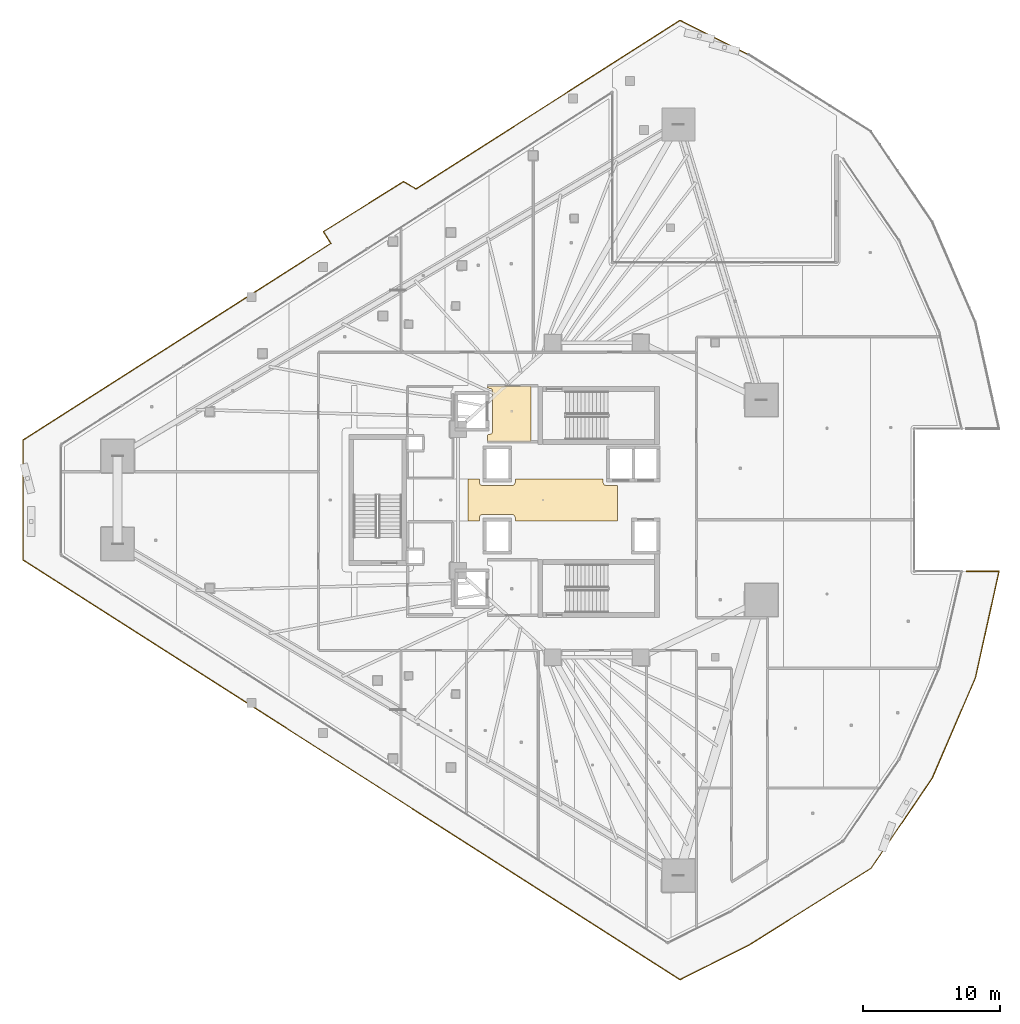
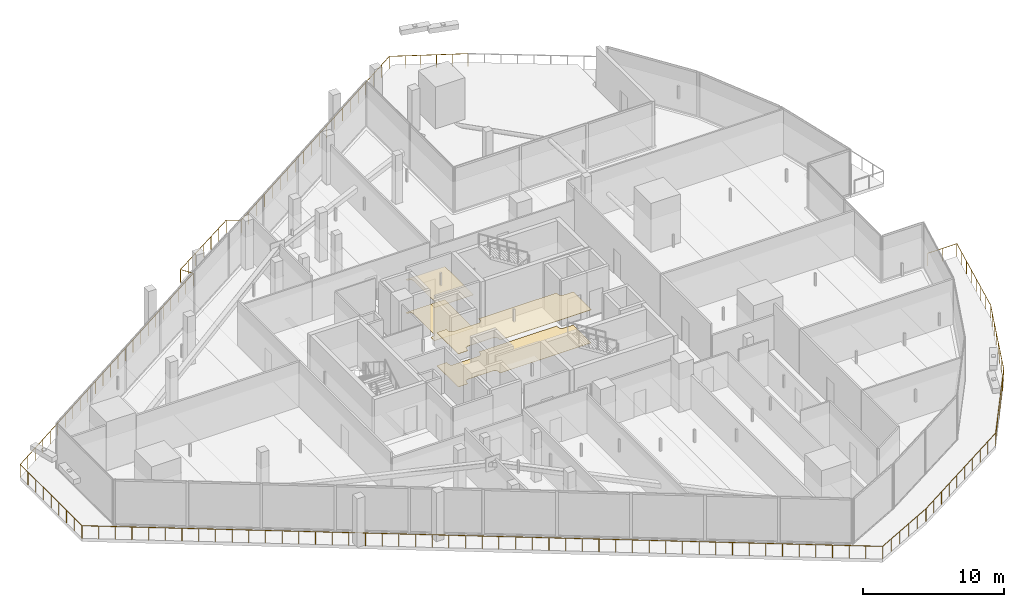
# One storey, part 45 of 47: 4 coverings, 1 railing.
"""IFC4 building model written with IfcOpenShell, lengths in metres."""

from ifc_helpers import new_model, si_unit, direction, frame, origin, origin_2d, place, context, subcontext, project, spatial, polyline, circle, outline, extrude, material, layer, layer_set, type_object, element, save


model = new_model("IFC4")

# Units and contexts
model_context = context("Model", 3, precision=1e-05, world=origin(), true_north=direction((0.0, 1.0)))
body_context = subcontext(model_context, "Body", "Model", "MODEL_VIEW")
ifc_project = project(units=[si_unit("LENGTHUNIT", "METRE"), si_unit("AREAUNIT", "SQUARE_METRE"), si_unit("VOLUMEUNIT", "CUBIC_METRE"), si_unit("PLANEANGLEUNIT", "RADIAN"), si_unit("MASSUNIT", "GRAM", prefix="KILO")], contexts=[model_context])

# Site, building, storey
site_placement = place(None, origin())
site = spatial("IfcSite", under=ifc_project, at=site_placement, CompositionType="ELEMENT")
building_placement = place(site_placement, origin())
building = spatial("IfcBuilding", under=site, at=building_placement, Name="Qorvath Tower", CompositionType="ELEMENT")
storey_placement = place(building_placement, frame((0.0, 0.0, 74.39990234375)))
storey = spatial("IfcBuildingStorey", under=building, at=storey_placement, Name="L16", CompositionType="ELEMENT", Elevation=74.39990234375)

# Coverings
ifc_material_1 = material(Name="Acoustic mineral fibre ceiling tile", Category="gypsum")
ifc_layer_1 = layer(ifc_material_1, 0.030029296875)
ifc_layer_set_1 = layer_set([ifc_layer_1], Name="COV-CEIL")
covering_type_1 = type_object("IfcCoveringType", Name="COV-CEIL", PredefinedType="CEILING", material=ifc_layer_set_1)
covering_1_placement = place(storey_placement, frame((0.0, 0.0, 2.85009765625)))
element("IfcCovering", 1, at=covering_1_placement, inside=storey, type_object=covering_type_1, Name="L16 Suspended Acoustic Ceiling 001", PredefinedType="CEILING", context=body_context, shape_type="SweptSolid", body=[
    extrude(outline(polyline([(-25.18994140625, 4.2548828125), (-25.18994140625, 8.294921875), (-28.375, 8.294921875), (-28.375, 8.159912109375), (-28.063232421875, 8.086669921875), (-27.989990234375, 7.909912109375), (-27.989990234375, 4.989990234375), (-28.063232421875, 4.813232421875), (-28.375, 4.739990234375), (-28.375, 4.2548828125), (-25.18994140625, 4.2548828125)])), origin(), (0.0, 0.0, 1.0), 0.030029296875),
])
covering_2_placement = place(storey_placement, frame((0.0, 0.0, 2.85009765625)))
element("IfcCovering", 2, at=covering_2_placement, inside=storey, type_object=covering_type_1, Name="L16 Suspended Acoustic Ceiling 007", PredefinedType="CEILING", context=body_context, shape_type="SweptSolid", body=[
    extrude(outline(polyline([(-18.885009765625, -1.514892578125), (-18.885009765625, 1.0400390625), (-19.7099609375, 1.0400390625), (-19.88671875, 1.11328125), (-19.9599609375, 1.2900390625), (-19.9599609375, 1.514892578125), (-26.340087890625, 1.514892578125), (-26.340087890625, 1.2900390625), (-26.413330078125, 1.11328125), (-26.590087890625, 1.0400390625), (-28.7099609375, 1.0400390625), (-28.88671875, 1.11328125), (-28.9599609375, 1.2900390625), (-28.9599609375, 1.514892578125), (-29.764892578125, 1.514892578125), (-29.764892578125, -1.514892578125), (-28.9599609375, -1.514892578125), (-28.9599609375, -1.2900390625), (-28.88671875, -1.11328125), (-28.7099609375, -1.0400390625), (-26.590087890625, -1.0400390625), (-26.413330078125, -1.11328125), (-26.340087890625, -1.2900390625), (-26.340087890625, -1.514892578125), (-18.885009765625, -1.514892578125)])), origin(), (0.0, 0.0, 1.0), 0.030029296875),
])
ifc_material_2 = material(Name="Polished epoxy terrazzo flooring", Category="concrete")
ifc_layer_2 = layer(ifc_material_2, 0.02001953125)
ifc_layer_set_2 = layer_set([ifc_layer_2], Name="COV-FLOOR-TRZ")
covering_type_2 = type_object("IfcCoveringType", Name="COV-FLOOR-TRZ", PredefinedType="FLOORING", material=ifc_layer_set_2)
covering_3_placement = place(storey_placement, origin())
element("IfcCovering", 3, at=covering_3_placement, inside=storey, type_object=covering_type_2, Name="L16 Floor Finish 001", PredefinedType="FLOORING", context=body_context, shape_type="SweptSolid", body=[
    extrude(outline(polyline([(-25.18994140625, 4.2548828125), (-25.18994140625, 8.294921875), (-28.375, 8.294921875), (-28.375, 8.159912109375), (-28.063232421875, 8.086669921875), (-27.989990234375, 7.909912109375), (-27.989990234375, 4.989990234375), (-28.063232421875, 4.813232421875), (-28.375, 4.739990234375), (-28.375, 4.2548828125), (-25.18994140625, 4.2548828125)])), origin(), (0.0, 0.0, 1.0), 0.01513671875),
])
covering_4_placement = place(storey_placement, origin())
element("IfcCovering", 4, at=covering_4_placement, inside=storey, type_object=covering_type_2, Name="L16 Floor Finish 007", PredefinedType="FLOORING", context=body_context, shape_type="SweptSolid", body=[
    extrude(outline(polyline([(-18.885009765625, -1.514892578125), (-18.885009765625, 1.0400390625), (-19.7099609375, 1.0400390625), (-19.88671875, 1.11328125), (-19.9599609375, 1.2900390625), (-19.9599609375, 1.514892578125), (-26.340087890625, 1.514892578125), (-26.340087890625, 1.2900390625), (-26.413330078125, 1.11328125), (-26.590087890625, 1.0400390625), (-28.7099609375, 1.0400390625), (-28.88671875, 1.11328125), (-28.9599609375, 1.2900390625), (-28.9599609375, 1.514892578125), (-29.764892578125, 1.514892578125), (-29.764892578125, -1.514892578125), (-28.9599609375, -1.514892578125), (-28.9599609375, -1.2900390625), (-28.88671875, -1.11328125), (-28.7099609375, -1.0400390625), (-26.590087890625, -1.0400390625), (-26.413330078125, -1.11328125), (-26.340087890625, -1.2900390625), (-26.340087890625, -1.514892578125), (-18.885009765625, -1.514892578125)])), origin(), (0.0, 0.0, 1.0), 0.01513671875),
])

# Railing
ifc_material_3 = material(Name="Laminated safety glass and stainless steel AISI 316", Category="steel")
railing_type = type_object("IfcRailingType", Name="RL-EXT-GRD", PredefinedType="GUARDRAIL", material=ifc_material_3)
railing_placement = place(storey_placement, frame((6.50146484375, -5.18408203125, 0.0)))
element("IfcRailing", 5, at=railing_placement, inside=storey, type_object=railing_type, Name="Loggia Perimeter Guardrail L16-1.2", PredefinedType="GUARDRAIL", context=body_context, shape_type="SweptSolid", body=[
    extrude(circle(Radius=0.02392578125, at=origin_2d()), frame((0.0, 0.0, 1.09619140625), z_axis=(1.0, 0.0, 0.0), x_axis=(0.0, 1.0, 0.0)), (0.0, 0.0, 1.0), 2.366455078125),
    extrude(circle(Radius=0.02392578125, at=origin_2d()), frame((2.366455078125, 0.0, 1.09619140625), z_axis=(-0.216083712762, -0.976374840458, 0.0), x_axis=(0.976374840458, -0.216083712762, 0.0)), (0.0, 0.0, 1.0), 7.938232421875),
    extrude(circle(Radius=0.02392578125, at=origin_2d()), frame((0.651123046875, -7.750732421875, 1.09619140625), z_axis=(-0.395496185531, -0.918467619043, 0.0), x_axis=(0.918467619043, -0.395496185531, 0.0)), (0.0, 0.0, 1.0), 7.9384765625),
    extrude(circle(Radius=0.02392578125, at=origin_2d()), frame((-2.488525390625, -15.0419921875, 1.09619140625), z_axis=(-0.560810063279, -0.827944486621, 0.0), x_axis=(0.827944486621, -0.560810063279, 0.0)), (0.0, 0.0, 1.0), 7.938232421875),
    extrude(circle(Radius=0.02392578125, at=origin_2d()), frame((-6.9404296875, -21.614501953125, 1.09619140625), z_axis=(-0.84650076286, -0.532387507815, 0.0), x_axis=(0.532387507815, -0.84650076286, 0.0)), (0.0, 0.0, 1.0), 10.556396484375),
    extrude(circle(Radius=0.02392578125, at=origin_2d()), frame((-15.87646484375, -27.234619140625, 1.09619140625), z_axis=(-0.89443594736, -0.447196082351, 0.0), x_axis=(0.447196082351, -0.89443594736, 0.0)), (0.0, 0.0, 1.0), 5.576171875),
    extrude(circle(Radius=0.02392578125, at=origin_2d()), frame((-20.864013671875, -29.728271484375, 1.09619140625), z_axis=(-0.842603440241, 0.538534532313, 0.0), x_axis=(-0.538534532313, -0.842603440241, 0.0)), (0.0, 0.0, 1.0), 56.724853515625),
    extrude(circle(Radius=0.02392578125, at=origin_2d()), frame((-68.66064453125, 0.820068359375, 1.09619140625), z_axis=(0.0, 1.0, 0.0), x_axis=(-1.0, 0.0, 0.0)), (0.0, 0.0, 1.0), 8.72802734375),
    extrude(circle(Radius=0.02392578125, at=origin_2d()), frame((-68.66064453125, 9.548095703125, 1.09619140625), z_axis=(0.842601768468, 0.538537147999, 0.0), x_axis=(-0.538537147999, 0.842601768468, 0.0)), (0.0, 0.0, 1.0), 26.574462890625),
    extrude(circle(Radius=0.02392578125, at=origin_2d()), frame((-46.26904296875, 23.859375, 1.09619140625), z_axis=(-0.53943770052, 0.842025514612, 0.0), x_axis=(-0.842025514612, -0.53943770052, 0.0)), (0.0, 0.0, 1.0), 1.01025390625),
    extrude(circle(Radius=0.02392578125, at=origin_2d()), frame((-46.81396484375, 24.7099609375, 1.09619140625), z_axis=(0.848058037451, 0.529903354505, 0.0), x_axis=(-0.529903354505, 0.848058037451, 0.0)), (0.0, 0.0, 1.0), 6.887939453125),
    extrude(circle(Radius=0.02392578125, at=origin_2d()), frame((-40.97265625, 28.35986328125, 1.09619140625), z_axis=(0.863292144843, -0.504704539955, 0.0), x_axis=(0.504704539955, 0.863292144843, 0.0)), (0.0, 0.0, 1.0), 1.055908203125),
    extrude(circle(Radius=0.02392578125, at=origin_2d()), frame((-40.06103515625, 27.826904296875, 1.09619140625), z_axis=(0.842601306842, 0.538537870263, 0.0), x_axis=(-0.538537870263, 0.842601306842, 0.0)), (0.0, 0.0, 1.0), 22.782958984375),
    extrude(circle(Radius=0.02392578125, at=origin_2d()), frame((-20.864013671875, 40.096435546875, 1.09619140625), z_axis=(0.89443594736, -0.447196082351, 0.0), x_axis=(0.447196082351, 0.89443594736, 0.0)), (0.0, 0.0, 1.0), 5.576171875),
    extrude(circle(Radius=0.02099609375, at=origin_2d()), origin(), (0.0, 0.0, 1.0), 1.072021484375),
    extrude(circle(Radius=0.02099609375, at=origin_2d()), frame((1.18310546875, 0.0, 0.0)), (0.0, 0.0, 1.0), 1.072021484375),
    extrude(circle(Radius=0.02099609375, at=origin_2d()), frame((2.366455078125, 0.0, 0.0)), (0.0, 0.0, 1.0), 1.072021484375),
    extrude(circle(Radius=0.02099609375, at=origin_2d()), frame((2.121337890625, -1.107177734375, 0.0)), (0.0, 0.0, 1.0), 1.072021484375),
    extrude(circle(Radius=0.02099609375, at=origin_2d()), frame((1.87646484375, -2.214599609375, 0.0)), (0.0, 0.0, 1.0), 1.072021484375),
    extrude(circle(Radius=0.02099609375, at=origin_2d()), frame((1.63134765625, -3.32177734375, 0.0)), (0.0, 0.0, 1.0), 1.072021484375),
    extrude(circle(Radius=0.02099609375, at=origin_2d()), frame((1.38623046875, -4.428955078125, 0.0)), (0.0, 0.0, 1.0), 1.072021484375),
    extrude(circle(Radius=0.02099609375, at=origin_2d()), frame((1.14111328125, -5.5361328125, 0.0)), (0.0, 0.0, 1.0), 1.072021484375),
    extrude(circle(Radius=0.02099609375, at=origin_2d()), frame((0.896240234375, -6.6435546875, 0.0)), (0.0, 0.0, 1.0), 1.072021484375),
    extrude(circle(Radius=0.02099609375, at=origin_2d()), frame((0.651123046875, -7.750732421875, 0.0)), (0.0, 0.0, 1.0), 1.072021484375),
    extrude(circle(Radius=0.02099609375, at=origin_2d()), frame((0.20263671875, -8.792236328125, 0.0)), (0.0, 0.0, 1.0), 1.072021484375),
    extrude(circle(Radius=0.02099609375, at=origin_2d()), frame((-0.245849609375, -9.833984375, 0.0)), (0.0, 0.0, 1.0), 1.072021484375),
    extrude(circle(Radius=0.02099609375, at=origin_2d()), frame((-0.6943359375, -10.87548828125, 0.0)), (0.0, 0.0, 1.0), 1.072021484375),
    extrude(circle(Radius=0.02099609375, at=origin_2d()), frame((-1.14306640625, -11.917236328125, 0.0)), (0.0, 0.0, 1.0), 1.072021484375),
    extrude(circle(Radius=0.02099609375, at=origin_2d()), frame((-1.591552734375, -12.958740234375, 0.0)), (0.0, 0.0, 1.0), 1.072021484375),
    extrude(circle(Radius=0.02099609375, at=origin_2d()), frame((-2.0400390625, -14.00048828125, 0.0)), (0.0, 0.0, 1.0), 1.072021484375),
    extrude(circle(Radius=0.02099609375, at=origin_2d()), frame((-2.488525390625, -15.0419921875, 0.0)), (0.0, 0.0, 1.0), 1.072021484375),
    extrude(circle(Radius=0.02099609375, at=origin_2d()), frame((-3.12451171875, -15.98095703125, 0.0)), (0.0, 0.0, 1.0), 1.072021484375),
    extrude(circle(Radius=0.02099609375, at=origin_2d()), frame((-3.760498046875, -16.919921875, 0.0)), (0.0, 0.0, 1.0), 1.072021484375),
    extrude(circle(Radius=0.02099609375, at=origin_2d()), frame((-4.396484375, -17.85888671875, 0.0)), (0.0, 0.0, 1.0), 1.072021484375),
    extrude(circle(Radius=0.02099609375, at=origin_2d()), frame((-5.032470703125, -18.797607421875, 0.0)), (0.0, 0.0, 1.0), 1.072021484375),
    extrude(circle(Radius=0.02099609375, at=origin_2d()), frame((-5.66845703125, -19.736572265625, 0.0)), (0.0, 0.0, 1.0), 1.072021484375),
    extrude(circle(Radius=0.02099609375, at=origin_2d()), frame((-6.304443359375, -20.675537109375, 0.0)), (0.0, 0.0, 1.0), 1.072021484375),
    extrude(circle(Radius=0.02099609375, at=origin_2d()), frame((-6.9404296875, -21.614501953125, 0.0)), (0.0, 0.0, 1.0), 1.072021484375),
    extrude(circle(Radius=0.02099609375, at=origin_2d()), frame((-7.933349609375, -22.239013671875, 0.0)), (0.0, 0.0, 1.0), 1.072021484375),
    extrude(circle(Radius=0.02099609375, at=origin_2d()), frame((-8.92626953125, -22.863525390625, 0.0)), (0.0, 0.0, 1.0), 1.072021484375),
    extrude(circle(Radius=0.02099609375, at=origin_2d()), frame((-9.919189453125, -23.48779296875, 0.0)), (0.0, 0.0, 1.0), 1.072021484375),
    extrude(circle(Radius=0.02099609375, at=origin_2d()), frame((-10.912109375, -24.1123046875, 0.0)), (0.0, 0.0, 1.0), 1.072021484375),
    extrude(circle(Radius=0.02099609375, at=origin_2d()), frame((-11.90478515625, -24.73681640625, 0.0)), (0.0, 0.0, 1.0), 1.072021484375),
    extrude(circle(Radius=0.02099609375, at=origin_2d()), frame((-12.897705078125, -25.361328125, 0.0)), (0.0, 0.0, 1.0), 1.072021484375),
    extrude(circle(Radius=0.02099609375, at=origin_2d()), frame((-13.890625, -25.985595703125, 0.0)), (0.0, 0.0, 1.0), 1.072021484375),
    extrude(circle(Radius=0.02099609375, at=origin_2d()), frame((-14.883544921875, -26.610107421875, 0.0)), (0.0, 0.0, 1.0), 1.072021484375),
    extrude(circle(Radius=0.02099609375, at=origin_2d()), frame((-15.87646484375, -27.234619140625, 0.0)), (0.0, 0.0, 1.0), 1.072021484375),
    extrude(circle(Radius=0.02099609375, at=origin_2d()), frame((-16.8740234375, -27.7333984375, 0.0)), (0.0, 0.0, 1.0), 1.072021484375),
    extrude(circle(Radius=0.02099609375, at=origin_2d()), frame((-17.87158203125, -28.232177734375, 0.0)), (0.0, 0.0, 1.0), 1.072021484375),
    extrude(circle(Radius=0.02099609375, at=origin_2d()), frame((-18.868896484375, -28.730712890625, 0.0)), (0.0, 0.0, 1.0), 1.072021484375),
    extrude(circle(Radius=0.02099609375, at=origin_2d()), frame((-19.866455078125, -29.2294921875, 0.0)), (0.0, 0.0, 1.0), 1.072021484375),
    extrude(circle(Radius=0.02099609375, at=origin_2d()), frame((-20.864013671875, -29.728271484375, 0.0)), (0.0, 0.0, 1.0), 1.072021484375),
    extrude(circle(Radius=0.02099609375, at=origin_2d()), frame((-21.85986328125, -29.091796875, 0.0)), (0.0, 0.0, 1.0), 1.072021484375),
    extrude(circle(Radius=0.02099609375, at=origin_2d()), frame((-22.85546875, -28.455322265625, 0.0)), (0.0, 0.0, 1.0), 1.072021484375),
    extrude(circle(Radius=0.02099609375, at=origin_2d()), frame((-23.851318359375, -27.819091796875, 0.0)), (0.0, 0.0, 1.0), 1.072021484375),
    extrude(circle(Radius=0.02099609375, at=origin_2d()), frame((-24.84716796875, -27.1826171875, 0.0)), (0.0, 0.0, 1.0), 1.072021484375),
    extrude(circle(Radius=0.02099609375, at=origin_2d()), frame((-25.8427734375, -26.546142578125, 0.0)), (0.0, 0.0, 1.0), 1.072021484375),
    extrude(circle(Radius=0.02099609375, at=origin_2d()), frame((-26.838623046875, -25.90966796875, 0.0)), (0.0, 0.0, 1.0), 1.072021484375),
    extrude(circle(Radius=0.02099609375, at=origin_2d()), frame((-27.83447265625, -25.273193359375, 0.0)), (0.0, 0.0, 1.0), 1.072021484375),
    extrude(circle(Radius=0.02099609375, at=origin_2d()), frame((-28.830078125, -24.636962890625, 0.0)), (0.0, 0.0, 1.0), 1.072021484375),
    extrude(circle(Radius=0.02099609375, at=origin_2d()), frame((-29.825927734375, -24.00048828125, 0.0)), (0.0, 0.0, 1.0), 1.072021484375),
    extrude(circle(Radius=0.02099609375, at=origin_2d()), frame((-30.821533203125, -23.364013671875, 0.0)), (0.0, 0.0, 1.0), 1.072021484375),
    extrude(circle(Radius=0.02099609375, at=origin_2d()), frame((-31.8173828125, -22.7275390625, 0.0)), (0.0, 0.0, 1.0), 1.072021484375),
    extrude(circle(Radius=0.02099609375, at=origin_2d()), frame((-32.813232421875, -22.09130859375, 0.0)), (0.0, 0.0, 1.0), 1.072021484375),
    extrude(circle(Radius=0.02099609375, at=origin_2d()), frame((-33.808837890625, -21.454833984375, 0.0)), (0.0, 0.0, 1.0), 1.072021484375),
    extrude(circle(Radius=0.02099609375, at=origin_2d()), frame((-34.8046875, -20.818359375, 0.0)), (0.0, 0.0, 1.0), 1.072021484375),
    extrude(circle(Radius=0.02099609375, at=origin_2d()), frame((-35.800537109375, -20.181884765625, 0.0)), (0.0, 0.0, 1.0), 1.072021484375),
    extrude(circle(Radius=0.02099609375, at=origin_2d()), frame((-36.796142578125, -19.54541015625, 0.0)), (0.0, 0.0, 1.0), 1.072021484375),
    extrude(circle(Radius=0.02099609375, at=origin_2d()), frame((-37.7919921875, -18.9091796875, 0.0)), (0.0, 0.0, 1.0), 1.072021484375),
    extrude(circle(Radius=0.02099609375, at=origin_2d()), frame((-38.787841796875, -18.272705078125, 0.0)), (0.0, 0.0, 1.0), 1.072021484375),
    extrude(circle(Radius=0.02099609375, at=origin_2d()), frame((-39.783447265625, -17.63623046875, 0.0)), (0.0, 0.0, 1.0), 1.072021484375),
    extrude(circle(Radius=0.02099609375, at=origin_2d()), frame((-40.779296875, -16.999755859375, 0.0)), (0.0, 0.0, 1.0), 1.072021484375),
    extrude(circle(Radius=0.02099609375, at=origin_2d()), frame((-41.775146484375, -16.36328125, 0.0)), (0.0, 0.0, 1.0), 1.072021484375),
    extrude(circle(Radius=0.02099609375, at=origin_2d()), frame((-42.770751953125, -15.72705078125, 0.0)), (0.0, 0.0, 1.0), 1.072021484375),
    extrude(circle(Radius=0.02099609375, at=origin_2d()), frame((-43.7666015625, -15.090576171875, 0.0)), (0.0, 0.0, 1.0), 1.072021484375),
    extrude(circle(Radius=0.02099609375, at=origin_2d()), frame((-44.76220703125, -14.4541015625, 0.0)), (0.0, 0.0, 1.0), 1.072021484375),
    extrude(circle(Radius=0.02099609375, at=origin_2d()), frame((-45.758056640625, -13.817626953125, 0.0)), (0.0, 0.0, 1.0), 1.072021484375),
    extrude(circle(Radius=0.02099609375, at=origin_2d()), frame((-46.75390625, -13.18115234375, 0.0)), (0.0, 0.0, 1.0), 1.072021484375),
    extrude(circle(Radius=0.02099609375, at=origin_2d()), frame((-47.74951171875, -12.544921875, 0.0)), (0.0, 0.0, 1.0), 1.072021484375),
    extrude(circle(Radius=0.02099609375, at=origin_2d()), frame((-48.745361328125, -11.908447265625, 0.0)), (0.0, 0.0, 1.0), 1.072021484375),
    extrude(circle(Radius=0.02099609375, at=origin_2d()), frame((-49.7412109375, -11.27197265625, 0.0)), (0.0, 0.0, 1.0), 1.072021484375),
    extrude(circle(Radius=0.02099609375, at=origin_2d()), frame((-50.73681640625, -10.635498046875, 0.0)), (0.0, 0.0, 1.0), 1.072021484375),
    extrude(circle(Radius=0.02099609375, at=origin_2d()), frame((-51.732666015625, -9.9990234375, 0.0)), (0.0, 0.0, 1.0), 1.072021484375),
    extrude(circle(Radius=0.02099609375, at=origin_2d()), frame((-52.728515625, -9.36279296875, 0.0)), (0.0, 0.0, 1.0), 1.072021484375),
    extrude(circle(Radius=0.02099609375, at=origin_2d()), frame((-53.72412109375, -8.726318359375, 0.0)), (0.0, 0.0, 1.0), 1.072021484375),
    extrude(circle(Radius=0.02099609375, at=origin_2d()), frame((-54.719970703125, -8.08984375, 0.0)), (0.0, 0.0, 1.0), 1.072021484375),
    extrude(circle(Radius=0.02099609375, at=origin_2d()), frame((-55.7158203125, -7.453369140625, 0.0)), (0.0, 0.0, 1.0), 1.072021484375),
    extrude(circle(Radius=0.02099609375, at=origin_2d()), frame((-56.71142578125, -6.81689453125, 0.0)), (0.0, 0.0, 1.0), 1.072021484375),
    extrude(circle(Radius=0.02099609375, at=origin_2d()), frame((-57.707275390625, -6.1806640625, 0.0)), (0.0, 0.0, 1.0), 1.072021484375),
    extrude(circle(Radius=0.02099609375, at=origin_2d()), frame((-58.703125, -5.544189453125, 0.0)), (0.0, 0.0, 1.0), 1.072021484375),
    extrude(circle(Radius=0.02099609375, at=origin_2d()), frame((-59.69873046875, -4.90771484375, 0.0)), (0.0, 0.0, 1.0), 1.072021484375),
    extrude(circle(Radius=0.02099609375, at=origin_2d()), frame((-60.694580078125, -4.271240234375, 0.0)), (0.0, 0.0, 1.0), 1.072021484375),
    extrude(circle(Radius=0.02099609375, at=origin_2d()), frame((-61.690185546875, -3.635009765625, 0.0)), (0.0, 0.0, 1.0), 1.072021484375),
    extrude(circle(Radius=0.02099609375, at=origin_2d()), frame((-62.68603515625, -2.99853515625, 0.0)), (0.0, 0.0, 1.0), 1.072021484375),
    extrude(circle(Radius=0.02099609375, at=origin_2d()), frame((-63.681884765625, -2.362060546875, 0.0)), (0.0, 0.0, 1.0), 1.072021484375),
    extrude(circle(Radius=0.02099609375, at=origin_2d()), frame((-64.677490234375, -1.7255859375, 0.0)), (0.0, 0.0, 1.0), 1.072021484375),
    extrude(circle(Radius=0.02099609375, at=origin_2d()), frame((-65.67333984375, -1.089111328125, 0.0)), (0.0, 0.0, 1.0), 1.072021484375),
    extrude(circle(Radius=0.02099609375, at=origin_2d()), frame((-66.669189453125, -0.452880859375, 0.0)), (0.0, 0.0, 1.0), 1.072021484375),
    extrude(circle(Radius=0.02099609375, at=origin_2d()), frame((-67.664794921875, 0.18359375, 0.0)), (0.0, 0.0, 1.0), 1.072021484375),
    extrude(circle(Radius=0.02099609375, at=origin_2d()), frame((-68.66064453125, 0.820068359375, 0.0)), (0.0, 0.0, 1.0), 1.072021484375),
    extrude(circle(Radius=0.02099609375, at=origin_2d()), frame((-68.66064453125, 1.9111328125, 0.0)), (0.0, 0.0, 1.0), 1.072021484375),
    extrude(circle(Radius=0.02099609375, at=origin_2d()), frame((-68.66064453125, 3.001953125, 0.0)), (0.0, 0.0, 1.0), 1.072021484375),
    extrude(circle(Radius=0.02099609375, at=origin_2d()), frame((-68.66064453125, 4.093017578125, 0.0)), (0.0, 0.0, 1.0), 1.072021484375),
    extrude(circle(Radius=0.02099609375, at=origin_2d()), frame((-68.66064453125, 5.18408203125, 0.0)), (0.0, 0.0, 1.0), 1.072021484375),
    extrude(circle(Radius=0.02099609375, at=origin_2d()), frame((-68.66064453125, 6.275146484375, 0.0)), (0.0, 0.0, 1.0), 1.072021484375),
    extrude(circle(Radius=0.02099609375, at=origin_2d()), frame((-68.66064453125, 7.3662109375, 0.0)), (0.0, 0.0, 1.0), 1.072021484375),
    extrude(circle(Radius=0.02099609375, at=origin_2d()), frame((-68.66064453125, 8.45703125, 0.0)), (0.0, 0.0, 1.0), 1.072021484375),
    extrude(circle(Radius=0.02099609375, at=origin_2d()), frame((-68.66064453125, 9.548095703125, 0.0)), (0.0, 0.0, 1.0), 1.072021484375),
    extrude(circle(Radius=0.02099609375, at=origin_2d()), frame((-67.68701171875, 10.17041015625, 0.0)), (0.0, 0.0, 1.0), 1.072021484375),
    extrude(circle(Radius=0.02099609375, at=origin_2d()), frame((-66.713623046875, 10.79248046875, 0.0)), (0.0, 0.0, 1.0), 1.072021484375),
    extrude(circle(Radius=0.02099609375, at=origin_2d()), frame((-65.739990234375, 11.414794921875, 0.0)), (0.0, 0.0, 1.0), 1.072021484375),
    extrude(circle(Radius=0.02099609375, at=origin_2d()), frame((-64.766357421875, 12.037109375, 0.0)), (0.0, 0.0, 1.0), 1.072021484375),
    extrude(circle(Radius=0.02099609375, at=origin_2d()), frame((-63.79296875, 12.6591796875, 0.0)), (0.0, 0.0, 1.0), 1.072021484375),
    extrude(circle(Radius=0.02099609375, at=origin_2d()), frame((-62.8193359375, 13.281494140625, 0.0)), (0.0, 0.0, 1.0), 1.072021484375),
    extrude(circle(Radius=0.02099609375, at=origin_2d()), frame((-61.845703125, 13.90380859375, 0.0)), (0.0, 0.0, 1.0), 1.072021484375),
    extrude(circle(Radius=0.02099609375, at=origin_2d()), frame((-60.872314453125, 14.52587890625, 0.0)), (0.0, 0.0, 1.0), 1.072021484375),
    extrude(circle(Radius=0.02099609375, at=origin_2d()), frame((-59.898681640625, 15.148193359375, 0.0)), (0.0, 0.0, 1.0), 1.072021484375),
    extrude(circle(Radius=0.02099609375, at=origin_2d()), frame((-58.925048828125, 15.7705078125, 0.0)), (0.0, 0.0, 1.0), 1.072021484375),
    extrude(circle(Radius=0.02099609375, at=origin_2d()), frame((-57.95166015625, 16.392578125, 0.0)), (0.0, 0.0, 1.0), 1.072021484375),
    extrude(circle(Radius=0.02099609375, at=origin_2d()), frame((-56.97802734375, 17.014892578125, 0.0)), (0.0, 0.0, 1.0), 1.072021484375),
    extrude(circle(Radius=0.02099609375, at=origin_2d()), frame((-56.004638671875, 17.636962890625, 0.0)), (0.0, 0.0, 1.0), 1.072021484375),
    extrude(circle(Radius=0.02099609375, at=origin_2d()), frame((-55.031005859375, 18.25927734375, 0.0)), (0.0, 0.0, 1.0), 1.072021484375),
    extrude(circle(Radius=0.02099609375, at=origin_2d()), frame((-54.057373046875, 18.881591796875, 0.0)), (0.0, 0.0, 1.0), 1.072021484375),
    extrude(circle(Radius=0.02099609375, at=origin_2d()), frame((-53.083984375, 19.503662109375, 0.0)), (0.0, 0.0, 1.0), 1.072021484375),
    extrude(circle(Radius=0.02099609375, at=origin_2d()), frame((-52.1103515625, 20.1259765625, 0.0)), (0.0, 0.0, 1.0), 1.072021484375),
    extrude(circle(Radius=0.02099609375, at=origin_2d()), frame((-51.13671875, 20.748291015625, 0.0)), (0.0, 0.0, 1.0), 1.072021484375),
    extrude(circle(Radius=0.02099609375, at=origin_2d()), frame((-50.163330078125, 21.370361328125, 0.0)), (0.0, 0.0, 1.0), 1.072021484375),
    extrude(circle(Radius=0.02099609375, at=origin_2d()), frame((-49.189697265625, 21.99267578125, 0.0)), (0.0, 0.0, 1.0), 1.072021484375),
    extrude(circle(Radius=0.02099609375, at=origin_2d()), frame((-48.216064453125, 22.614990234375, 0.0)), (0.0, 0.0, 1.0), 1.072021484375),
    extrude(circle(Radius=0.02099609375, at=origin_2d()), frame((-47.24267578125, 23.237060546875, 0.0)), (0.0, 0.0, 1.0), 1.072021484375),
    extrude(circle(Radius=0.02099609375, at=origin_2d()), frame((-46.26904296875, 23.859375, 0.0)), (0.0, 0.0, 1.0), 1.072021484375),
    extrude(circle(Radius=0.02099609375, at=origin_2d()), frame((-46.81396484375, 24.7099609375, 0.0)), (0.0, 0.0, 1.0), 1.072021484375),
    extrude(circle(Radius=0.02099609375, at=origin_2d()), frame((-45.84033203125, 25.318359375, 0.0)), (0.0, 0.0, 1.0), 1.072021484375),
    extrude(circle(Radius=0.02099609375, at=origin_2d()), frame((-44.866943359375, 25.926513671875, 0.0)), (0.0, 0.0, 1.0), 1.072021484375),
    extrude(circle(Radius=0.02099609375, at=origin_2d()), frame((-43.893310546875, 26.534912109375, 0.0)), (0.0, 0.0, 1.0), 1.072021484375),
    extrude(circle(Radius=0.02099609375, at=origin_2d()), frame((-42.919677734375, 27.143310546875, 0.0)), (0.0, 0.0, 1.0), 1.072021484375),
    extrude(circle(Radius=0.02099609375, at=origin_2d()), frame((-41.9462890625, 27.75146484375, 0.0)), (0.0, 0.0, 1.0), 1.072021484375),
    extrude(circle(Radius=0.02099609375, at=origin_2d()), frame((-40.97265625, 28.35986328125, 0.0)), (0.0, 0.0, 1.0), 1.072021484375),
    extrude(circle(Radius=0.02099609375, at=origin_2d()), frame((-40.06103515625, 27.826904296875, 0.0)), (0.0, 0.0, 1.0), 1.072021484375),
    extrude(circle(Radius=0.02099609375, at=origin_2d()), frame((-39.05078125, 28.47265625, 0.0)), (0.0, 0.0, 1.0), 1.072021484375),
    extrude(circle(Radius=0.02099609375, at=origin_2d()), frame((-38.040283203125, 29.118408203125, 0.0)), (0.0, 0.0, 1.0), 1.072021484375),
    extrude(circle(Radius=0.02099609375, at=origin_2d()), frame((-37.030029296875, 29.76416015625, 0.0)), (0.0, 0.0, 1.0), 1.072021484375),
    extrude(circle(Radius=0.02099609375, at=origin_2d()), frame((-36.01953125, 30.409912109375, 0.0)), (0.0, 0.0, 1.0), 1.072021484375),
    extrude(circle(Radius=0.02099609375, at=origin_2d()), frame((-35.00927734375, 31.0556640625, 0.0)), (0.0, 0.0, 1.0), 1.072021484375),
    extrude(circle(Radius=0.02099609375, at=origin_2d()), frame((-33.998779296875, 31.701416015625, 0.0)), (0.0, 0.0, 1.0), 1.072021484375),
    extrude(circle(Radius=0.02099609375, at=origin_2d()), frame((-32.988525390625, 32.34716796875, 0.0)), (0.0, 0.0, 1.0), 1.072021484375),
    extrude(circle(Radius=0.02099609375, at=origin_2d()), frame((-31.97802734375, 32.992919921875, 0.0)), (0.0, 0.0, 1.0), 1.072021484375),
    extrude(circle(Radius=0.02099609375, at=origin_2d()), frame((-30.9677734375, 33.638671875, 0.0)), (0.0, 0.0, 1.0), 1.072021484375),
    extrude(circle(Radius=0.02099609375, at=origin_2d()), frame((-29.957275390625, 34.28466796875, 0.0)), (0.0, 0.0, 1.0), 1.072021484375),
    extrude(circle(Radius=0.02099609375, at=origin_2d()), frame((-28.947021484375, 34.930419921875, 0.0)), (0.0, 0.0, 1.0), 1.072021484375),
    extrude(circle(Radius=0.02099609375, at=origin_2d()), frame((-27.9365234375, 35.576171875, 0.0)), (0.0, 0.0, 1.0), 1.072021484375),
    extrude(circle(Radius=0.02099609375, at=origin_2d()), frame((-26.92626953125, 36.221923828125, 0.0)), (0.0, 0.0, 1.0), 1.072021484375),
    extrude(circle(Radius=0.02099609375, at=origin_2d()), frame((-25.915771484375, 36.86767578125, 0.0)), (0.0, 0.0, 1.0), 1.072021484375),
    extrude(circle(Radius=0.02099609375, at=origin_2d()), frame((-24.905517578125, 37.513427734375, 0.0)), (0.0, 0.0, 1.0), 1.072021484375),
    extrude(circle(Radius=0.02099609375, at=origin_2d()), frame((-23.89501953125, 38.1591796875, 0.0)), (0.0, 0.0, 1.0), 1.072021484375),
    extrude(circle(Radius=0.02099609375, at=origin_2d()), frame((-22.884765625, 38.804931640625, 0.0)), (0.0, 0.0, 1.0), 1.072021484375),
    extrude(circle(Radius=0.02099609375, at=origin_2d()), frame((-21.874267578125, 39.45068359375, 0.0)), (0.0, 0.0, 1.0), 1.072021484375),
    extrude(circle(Radius=0.02099609375, at=origin_2d()), frame((-20.864013671875, 40.096435546875, 0.0)), (0.0, 0.0, 1.0), 1.072021484375),
    extrude(circle(Radius=0.02099609375, at=origin_2d()), frame((-19.866455078125, 39.59765625, 0.0)), (0.0, 0.0, 1.0), 1.072021484375),
    extrude(circle(Radius=0.02099609375, at=origin_2d()), frame((-18.868896484375, 39.098876953125, 0.0)), (0.0, 0.0, 1.0), 1.072021484375),
    extrude(circle(Radius=0.02099609375, at=origin_2d()), frame((-17.87158203125, 38.600341796875, 0.0)), (0.0, 0.0, 1.0), 1.072021484375),
    extrude(circle(Radius=0.02099609375, at=origin_2d()), frame((-16.8740234375, 38.1015625, 0.0)), (0.0, 0.0, 1.0), 1.072021484375),
    extrude(circle(Radius=0.02099609375, at=origin_2d()), frame((-15.87646484375, 37.602783203125, 0.0)), (0.0, 0.0, 1.0), 1.072021484375),
])

save(model, "model.ifc")
